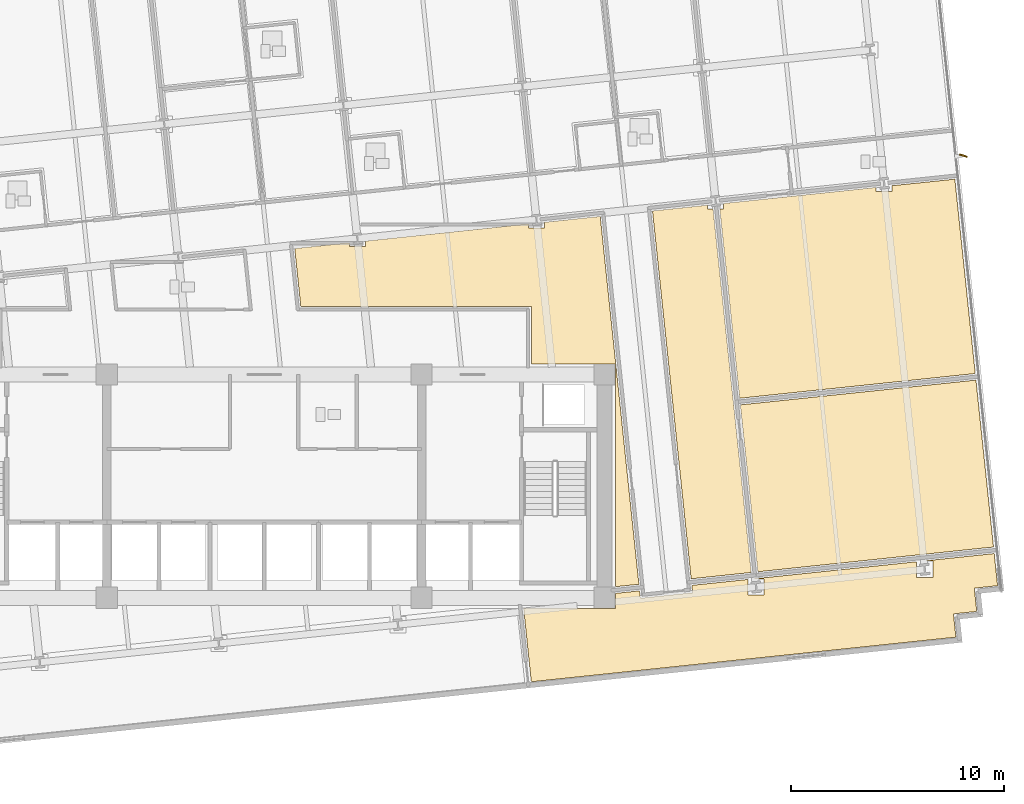
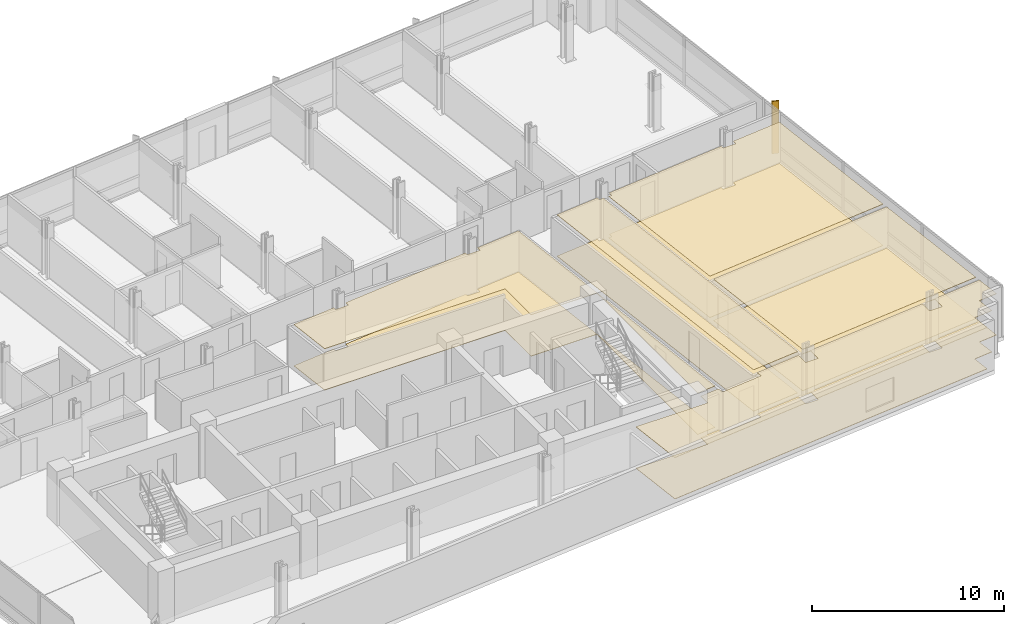
# One storey, part 17 of 20: 10 coverings, 1 shading device.
"""IFC4 building model written with IfcOpenShell, lengths in metres."""

from ifc_helpers import new_model, si_unit, direction, frame, origin, origin_2d, place, context, subcontext, project, spatial, polyline, rectangle, outline, extrude, material, layer, layer_set, type_object, element, save


model = new_model("IFC4")

# Units and contexts
model_context = context("Model", 3, precision=1e-05, world=origin(), true_north=direction((0.0, 1.0)))
body_context = subcontext(model_context, "Body", "Model", "MODEL_VIEW")
ifc_project = project(units=[si_unit("LENGTHUNIT", "METRE"), si_unit("AREAUNIT", "SQUARE_METRE"), si_unit("VOLUMEUNIT", "CUBIC_METRE"), si_unit("PLANEANGLEUNIT", "RADIAN"), si_unit("MASSUNIT", "GRAM", prefix="KILO")], contexts=[model_context])

# Site, building, storey
site_placement = place(None, origin())
site = spatial("IfcSite", under=ifc_project, at=site_placement, CompositionType="ELEMENT")
building_placement = place(site_placement, origin())
building = spatial("IfcBuilding", under=site, at=building_placement, Name="Solmavex Isthmus Hotel", CompositionType="ELEMENT")
storey_placement = place(building_placement, frame((0.0, 0.0, 87.0)))
storey = spatial("IfcBuildingStorey", under=building, at=storey_placement, Name="L23", CompositionType="ELEMENT", Elevation=87.0)

# Coverings
ifc_material_1 = material(Name="Gypsum plasterboard lining", Category="gypsum")
ifc_layer_1 = layer(ifc_material_1, 0.030029296875)
ifc_layer_set_1 = layer_set([ifc_layer_1], Name="Gypsum plasterboard lining")
covering_type_1 = type_object("IfcCoveringType", Name="COV-CEIL-GYP", PredefinedType="CEILING", material=ifc_layer_set_1)
covering_1_placement = place(storey_placement, frame((0.0, 0.0, 2.6201171875)))
element("IfcCovering", 1, at=covering_1_placement, inside=storey, type_object=covering_type_1, Name="Suspended Acoustic Ceiling L23-FL12", PredefinedType="CEILING", context=body_context, shape_type="SweptSolid", body=[
    extrude(outline(polyline([(21.103759765625, 5.2783203125), (20.83984375, 5.2783203125), (20.83984375, 5.462646484375), (18.25439453125, 5.19091796875), (20.072021484375, -12.10400390625), (22.899658203125, -11.806640625), (21.103759765625, 5.2783203125)])), origin(), (0.0, 0.0, 1.0), 0.02978515625),
])
covering_2_placement = place(storey_placement, frame((0.0, 0.0, 2.6201171875)))
element("IfcCovering", 2, at=covering_2_placement, inside=storey, type_object=covering_type_1, Name="Suspended Acoustic Ceiling L23-FL13", PredefinedType="CEILING", context=body_context, shape_type="SweptSolid", body=[
    extrude(outline(polyline([(4.760498046875, 3.7724609375), (4.760498046875, 3.508544921875), (4.00048828125, 3.508544921875), (4.00048828125, 3.692626953125), (1.43505859375, 3.423095703125), (1.720703125, 0.705078125), (12.554931640625, 0.705078125), (12.554931640625, -1.9951171875), (16.5048828125, -1.9951171875), (16.5048828125, -12.478759765625), (17.61572265625, -12.362060546875), (15.7978515625, 4.9326171875), (13.18017578125, 4.657470703125), (13.18017578125, 4.393310546875), (12.420166015625, 4.393310546875), (12.420166015625, 4.57763671875), (4.760498046875, 3.7724609375)])), origin(), (0.0, 0.0, 1.0), 0.02978515625),
])
covering_3_placement = place(storey_placement, frame((0.0, 0.0, 2.6201171875)))
element("IfcCovering", 3, at=covering_3_placement, inside=storey, type_object=covering_type_1, Name="Suspended Acoustic Ceiling L23-FL14", PredefinedType="CEILING", context=body_context, shape_type="SweptSolid", body=[
    extrude(outline(polyline([(16.5048828125, -12.79052734375), (16.5048828125, -13.5048828125), (12.196533203125, -13.5048828125), (12.55810546875, -16.94580078125), (15.055419921875, -16.683349609375), (23.474853515625, -15.79833984375), (31.69775390625, -14.93408203125), (32.51806640625, -14.847900390625), (32.403076171875, -13.75390625), (33.4970703125, -13.638916015625), (33.382080078125, -12.544921875), (34.47607421875, -12.429931640625), (34.389892578125, -11.609619140625), (34.317138671875, -10.91845703125), (30.888427734375, -11.27880859375), (31.431640625, -11.27880859375), (31.431640625, -12.038818359375), (30.671630859375, -12.038818359375), (30.671630859375, -11.301513671875), (23.086181640625, -12.098876953125), (22.9638671875, -12.111572265625), (23.50732421875, -12.111572265625), (23.50732421875, -12.87158203125), (22.747314453125, -12.87158203125), (22.747314453125, -12.134521484375), (20.1044921875, -12.412109375), (20.14111328125, -12.76025390625), (17.6845703125, -13.0185546875), (17.64794921875, -12.67041015625), (16.5048828125, -12.79052734375)])), origin(), (0.0, 0.0, 1.0), 0.02978515625),
])
covering_4_placement = place(storey_placement, frame((0.0, 0.0, 2.6201171875)))
element("IfcCovering", 4, at=covering_4_placement, inside=storey, type_object=covering_type_1, Name="Suspended Acoustic Ceiling L23-FL16", PredefinedType="CEILING", context=body_context, shape_type="SweptSolid", body=[
    extrude(outline(polyline([(33.460205078125, -2.76318359375), (22.383056640625, -3.927490234375), (23.207763671875, -11.7744140625), (34.284912109375, -10.610107421875), (33.460205078125, -2.76318359375)])), origin(), (0.0, 0.0, 1.0), 0.02978515625),
])
covering_5_placement = place(storey_placement, frame((0.0, 0.0, 2.6201171875)))
element("IfcCovering", 5, at=covering_5_placement, inside=storey, type_object=covering_type_1, Name="Suspended Acoustic Ceiling L23-FL17", PredefinedType="CEILING", context=body_context, shape_type="SweptSolid", body=[
    extrude(outline(polyline([(21.599609375, 5.54248046875), (21.599609375, 5.2783203125), (21.41552734375, 5.2783203125), (21.93310546875, 0.353759765625), (22.3505859375, -3.619140625), (33.427734375, -2.455078125), (33.010009765625, 1.51806640625), (32.467041015625, 6.6845703125), (29.524169921875, 6.375244140625), (29.524169921875, 6.111328125), (28.76416015625, 6.111328125), (28.76416015625, 6.29541015625), (24.816162109375, 5.880615234375), (21.599609375, 5.54248046875)])), origin(), (0.0, 0.0, 1.0), 0.02978515625),
])
ifc_material_2 = material(Name="Travertine natural stone", Category="masonry")
ifc_layer_2 = layer(ifc_material_2, 0.02490234375)
ifc_layer_set_2 = layer_set([ifc_layer_2], Name="Travertine natural stone")
covering_type_2 = type_object("IfcCoveringType", Name="COV-FLOR-STN", PredefinedType="FLOORING", material=ifc_layer_set_2)
covering_6_placement = place(storey_placement, origin())
element("IfcCovering", 6, at=covering_6_placement, inside=storey, type_object=covering_type_2, Name="Stone and Timber Floor Finish L23-FL12", PredefinedType="FLOORING", context=body_context, shape_type="SweptSolid", body=[
    extrude(outline(polyline([(21.103759765625, 5.2783203125), (20.83984375, 5.2783203125), (20.83984375, 5.462646484375), (18.25439453125, 5.19091796875), (20.072021484375, -12.10400390625), (22.899658203125, -11.806640625), (21.103759765625, 5.2783203125)])), origin(), (0.0, 0.0, 1.0), 0.02490234375),
])
covering_7_placement = place(storey_placement, origin())
element("IfcCovering", 7, at=covering_7_placement, inside=storey, type_object=covering_type_2, Name="Stone and Timber Floor Finish L23-FL13", PredefinedType="FLOORING", context=body_context, shape_type="SweptSolid", body=[
    extrude(outline(polyline([(4.760498046875, 3.7724609375), (4.760498046875, 3.508544921875), (4.00048828125, 3.508544921875), (4.00048828125, 3.692626953125), (1.43505859375, 3.423095703125), (1.720703125, 0.705078125), (12.554931640625, 0.705078125), (12.554931640625, -1.9951171875), (16.5048828125, -1.9951171875), (16.5048828125, -12.478759765625), (17.61572265625, -12.362060546875), (15.7978515625, 4.9326171875), (13.18017578125, 4.657470703125), (13.18017578125, 4.393310546875), (12.420166015625, 4.393310546875), (12.420166015625, 4.57763671875), (4.760498046875, 3.7724609375)])), origin(), (0.0, 0.0, 1.0), 0.02490234375),
])
covering_8_placement = place(storey_placement, origin())
element("IfcCovering", 8, at=covering_8_placement, inside=storey, type_object=covering_type_2, Name="Stone and Timber Floor Finish L23-FL14", PredefinedType="FLOORING", context=body_context, shape_type="SweptSolid", body=[
    extrude(outline(polyline([(16.5048828125, -12.79052734375), (16.5048828125, -13.5048828125), (12.196533203125, -13.5048828125), (12.55810546875, -16.94580078125), (15.055419921875, -16.683349609375), (23.474853515625, -15.79833984375), (31.69775390625, -14.93408203125), (32.51806640625, -14.847900390625), (32.403076171875, -13.75390625), (33.4970703125, -13.638916015625), (33.382080078125, -12.544921875), (34.47607421875, -12.429931640625), (34.389892578125, -11.609619140625), (34.317138671875, -10.91845703125), (30.888427734375, -11.27880859375), (31.431640625, -11.27880859375), (31.431640625, -12.038818359375), (30.671630859375, -12.038818359375), (30.671630859375, -11.301513671875), (23.086181640625, -12.098876953125), (22.9638671875, -12.111572265625), (23.50732421875, -12.111572265625), (23.50732421875, -12.87158203125), (22.747314453125, -12.87158203125), (22.747314453125, -12.134521484375), (20.1044921875, -12.412109375), (20.14111328125, -12.76025390625), (17.6845703125, -13.0185546875), (17.64794921875, -12.67041015625), (16.5048828125, -12.79052734375)])), origin(), (0.0, 0.0, 1.0), 0.02490234375),
])
covering_9_placement = place(storey_placement, origin())
element("IfcCovering", 9, at=covering_9_placement, inside=storey, type_object=covering_type_2, Name="Stone and Timber Floor Finish L23-FL16", PredefinedType="FLOORING", context=body_context, shape_type="SweptSolid", body=[
    extrude(outline(polyline([(33.460205078125, -2.76318359375), (22.383056640625, -3.927490234375), (23.207763671875, -11.7744140625), (34.284912109375, -10.610107421875), (33.460205078125, -2.76318359375)])), origin(), (0.0, 0.0, 1.0), 0.02490234375),
])
covering_10_placement = place(storey_placement, origin())
element("IfcCovering", 10, at=covering_10_placement, inside=storey, type_object=covering_type_2, Name="Stone and Timber Floor Finish L23-FL17", PredefinedType="FLOORING", context=body_context, shape_type="SweptSolid", body=[
    extrude(outline(polyline([(21.599609375, 5.54248046875), (21.599609375, 5.2783203125), (21.41552734375, 5.2783203125), (21.93310546875, 0.353759765625), (22.3505859375, -3.619140625), (33.427734375, -2.455078125), (33.010009765625, 1.51806640625), (32.467041015625, 6.6845703125), (29.524169921875, 6.375244140625), (29.524169921875, 6.111328125), (28.76416015625, 6.111328125), (28.76416015625, 6.29541015625), (24.816162109375, 5.880615234375), (21.599609375, 5.54248046875)])), origin(), (0.0, 0.0, 1.0), 0.02490234375),
])

# Shading device
ifc_material_3 = material(Name="Aluminium alloy 6063-T6", Category="aluminium")
shading_device_type = type_object("IfcShadingDeviceType", Name="SHD-FIN-CHAMP", PredefinedType="USERDEFINED", material=ifc_material_3)
shading_device_placement = place(storey_placement, frame((32.868896484375, 7.78759765625, -0.14013671875), z_axis=(0.0, 0.0, 1.0), x_axis=(0.951056516295, -0.309016994375, 0.0)))
element("IfcShadingDevice", 11, at=shading_device_placement, inside=storey, type_object=shading_device_type, Name="Anodised Aluminium Solar Fin L23-E1", ObjectType="SOLAR_FIN", PredefinedType="USERDEFINED", context=body_context, shape_type="SweptSolid", body=[
    extrude(rectangle(XDim=0.3798828125, YDim=0.070068359375, at=origin_2d()), origin(), (0.0, 0.0, 1.0), 3.330078125),
])

save(model, "model.ifc")
